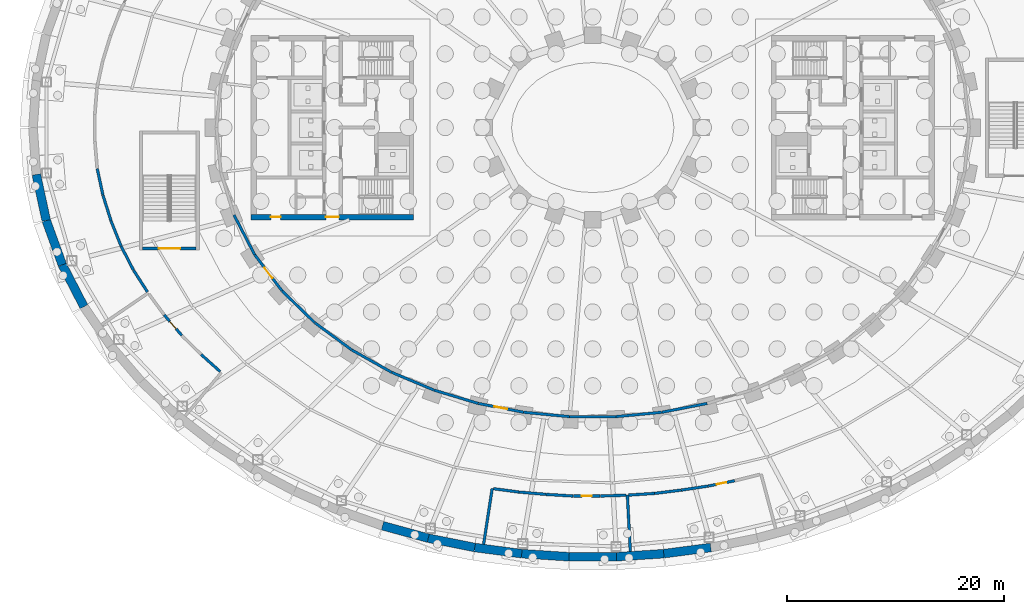
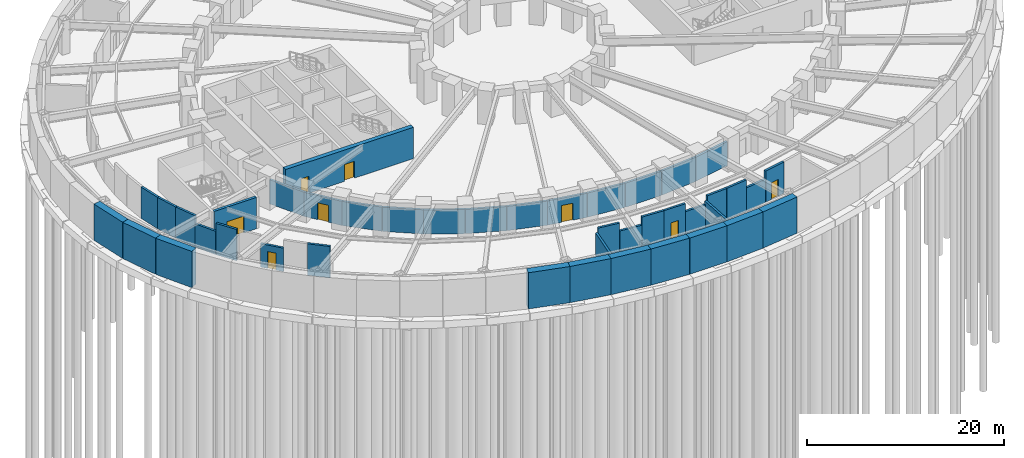
# One storey, part 10 of 19: 42 walls, 8 doors, 8 openings.
"""IFC4 building model written with IfcOpenShell, lengths in metres."""

from ifc_helpers import new_model, si_unit, direction, frame, frame_2d, origin, place, context, subcontext, project, spatial, rectangle, extrude, material, layer, layer_set, type_object, element, fill, save


model = new_model("IFC4")

# Units and contexts
model_context = context("Model", 3, precision=1e-05, world=origin(), true_north=direction((0.0, 1.0)))
body_context = subcontext(model_context, "Body", "Model", "MODEL_VIEW")
ifc_project = project(units=[si_unit("LENGTHUNIT", "METRE"), si_unit("AREAUNIT", "SQUARE_METRE"), si_unit("VOLUMEUNIT", "CUBIC_METRE"), si_unit("PLANEANGLEUNIT", "RADIAN"), si_unit("MASSUNIT", "GRAM", prefix="KILO")], contexts=[model_context])

# Site, building, storey
site_placement = place(None, origin())
site = spatial("IfcSite", under=ifc_project, at=site_placement, CompositionType="ELEMENT")
building_placement = place(site_placement, origin())
building = spatial("IfcBuilding", under=site, at=building_placement, Name="Noorbagh Ring Tower", CompositionType="ELEMENT")
storey_placement = place(building_placement, frame((0.0, 0.0, -8.39990234375)))
storey = spatial("IfcBuildingStorey", under=building, at=storey_placement, Name="B2", CompositionType="ELEMENT", Elevation=-8.39990234375)

# Wall, openings, doors
ifc_material_1 = material(Name="Concrete C70/85", Category="concrete")
ifc_layer_1 = layer(ifc_material_1, 0.5)
ifc_layer_set_1 = layer_set([ifc_layer_1], Name="Concrete C70/85")
wall_type_1 = type_object("IfcWallType", Name="CORE-WALL-500-C70-85-EI240", PredefinedType="SHEAR", material=ifc_layer_set_1)
wall_1_placement = place(storey_placement, frame((-16.5, -8.25, 0.0), z_axis=(0.0, 0.0, 1.0), x_axis=(-1.0, 0.0, 0.0)))
wall_1 = element("IfcWall", 1, at=wall_1_placement, inside=storey, type_object=wall_type_1, Name="Core wall W", PredefinedType="SHEAR", context=body_context, shape_type="SweptSolid", body=[
    extrude(rectangle(XDim=15.0, YDim=0.5, at=frame_2d((7.5, 0.0))), origin(), (0.0, 0.0, 1.0), 3.89990234375),
])
opening_1_placement = place(wall_1_placement, frame((6.89990234375, 0.0, 0.0)))
opening_1 = element("IfcOpeningElement", 2, at=opening_1_placement, cuts=wall_1, Name="Opening B2-CW10", PredefinedType="OPENING", context=body_context, shape_type="SweptSolid", body=[
    extrude(rectangle(XDim=1.199951171875, YDim=2.10009765625, at=frame_2d((0.60009765625, 1.050048828125))), frame((0.0, 0.260009765625, 0.0), z_axis=(0.0, -1.0, 0.0), x_axis=(1.0, 0.0, 0.0)), (0.0, 0.0, 1.0), 0.52001953125),
])
opening_2_placement = place(wall_1_placement, frame((12.27490234375, 0.0, 0.0)))
opening_2 = element("IfcOpeningElement", 3, at=opening_2_placement, cuts=wall_1, Name="Opening B2-CW16", PredefinedType="OPENING", context=body_context, shape_type="SweptSolid", body=[
    extrude(rectangle(XDim=0.89990234375, YDim=2.10009765625, at=frame_2d((0.449951171875, 1.050048828125))), frame((0.0, 0.260009765625, 0.0), z_axis=(0.0, -1.0, 0.0), x_axis=(1.0, 0.0, 0.0)), (0.0, 0.0, 1.0), 0.52001953125),
])
ifc_material_2 = material(Name="Steel door leaf", Category="steel")
door_type_1 = type_object("IfcDoorType", Name="CORE-DOOR-DROOM", OperationType="SINGLE_SWING_LEFT", PredefinedType="DOOR", material=ifc_material_2)
door_1_placement = place(opening_2_placement, origin())
door_1 = element("IfcDoor", 4, at=door_1_placement, inside=storey, type_object=door_type_1, Name="Core room door B2-CW16", OperationType="SINGLE_SWING_LEFT", OverallHeight=2.10009765625, OverallWidth=0.89990234375, PredefinedType="DOOR", context=body_context, shape_type="SweptSolid", body=[
    extrude(rectangle(XDim=0.89990234375, YDim=2.10009765625, at=frame_2d((0.449951171875, 1.050048828125))), frame((0.0, 0.02490234375, 0.0), z_axis=(0.0, -1.0, 0.0), x_axis=(1.0, 0.0, 0.0)), (0.0, 0.0, 1.0), 0.050048828125),
])
fill(opening_2, door_1)
ifc_material_3 = material(Name="Steel door leaf", Category="steel")
door_type_2 = type_object("IfcDoorType", Name="CORE-DOOR-PORT", OperationType="DOUBLE_DOOR_DOUBLE_SWING", PredefinedType="DOOR", material=ifc_material_3)
door_2_placement = place(opening_1_placement, origin())
door_2 = element("IfcDoor", 5, at=door_2_placement, inside=storey, type_object=door_type_2, Name="Core entrance door B2-CW10", OperationType="DOUBLE_DOOR_DOUBLE_SWING", OverallHeight=2.10009765625, OverallWidth=1.199951171875, PredefinedType="DOOR", context=body_context, shape_type="SweptSolid", body=[
    extrude(rectangle(XDim=1.199951171875, YDim=2.10009765625, at=frame_2d((0.60009765625, 1.050048828125))), frame((0.0, 0.02490234375, 0.0), z_axis=(0.0, -1.0, 0.0), x_axis=(1.0, 0.0, 0.0)), (0.0, 0.0, 1.0), 0.050048828125),
])
fill(opening_1, door_2)

# Wall, opening, door
ifc_material_4 = material(Name="Concrete C60/75", Category="concrete")
ifc_layer_2 = layer(ifc_material_4, 0.300048828125)
ifc_layer_set_2 = layer_set([ifc_layer_2], Name="Concrete C60/75")
wall_type_2 = type_object("IfcWallType", Name="GND-STAIR-WALL", PredefinedType="SHEAR", material=ifc_layer_set_2)
wall_2_placement = place(storey_placement, frame((-41.5, -11.14990234375, 0.0), z_axis=(0.0, 0.0, 1.0), x_axis=(1.0, 0.0, 0.0)))
wall_2 = element("IfcWall", 6, at=wall_2_placement, inside=storey, type_object=wall_type_2, Name="Exit stair ST-P1 wall", PredefinedType="SHEAR", context=body_context, shape_type="SweptSolid", body=[
    extrude(rectangle(XDim=4.949951171875, YDim=0.300048828125, at=frame_2d((2.47509765625, 0.0))), origin(), (0.0, 0.0, 1.0), 3.89990234375),
])
opening_3_placement = place(wall_2_placement, frame((1.47509765625, 0.0, 0.0)))
opening_3 = element("IfcOpeningElement", 7, at=opening_3_placement, cuts=wall_2, Name="Opening GD17", PredefinedType="OPENING", context=body_context, shape_type="SweptSolid", body=[
    extrude(rectangle(XDim=2.0, YDim=2.10009765625, at=frame_2d((1.0, 1.050048828125))), frame((0.0, 0.16015625, 0.0), z_axis=(0.0, -1.0, 0.0), x_axis=(1.0, 0.0, 0.0)), (0.0, 0.0, 1.0), 0.320068359375),
])
ifc_material_5 = material(Name="Steel", Category="steel")
door_type_3 = type_object("IfcDoorType", Name="GND-STAIR-DOOR", OperationType="DOUBLE_DOOR_SINGLE_SWING", PredefinedType="DOOR", material=ifc_material_5)
door_3_placement = place(opening_3_placement, origin())
door_3 = element("IfcDoor", 8, at=door_3_placement, inside=storey, type_object=door_type_3, Name="Exit stair ST-P1 door", OperationType="DOUBLE_DOOR_SINGLE_SWING", OverallHeight=2.10009765625, OverallWidth=2.0, PredefinedType="DOOR", context=body_context, shape_type="SweptSolid", body=[
    extrude(rectangle(XDim=2.0, YDim=2.10009765625, at=frame_2d((1.0, 1.050048828125))), frame((0.0, 0.02490234375, 0.0), z_axis=(0.0, -1.0, 0.0), x_axis=(1.0, 0.0, 0.0)), (0.0, 0.0, 1.0), 0.050048828125),
])
fill(opening_3, door_3)

# Walls
ifc_material_6 = material(Name="Concrete C40/50", Category="concrete")
ifc_layer_3 = layer(ifc_material_6, 0.25)
ifc_layer_set_3 = layer_set([ifc_layer_3], Name="Concrete C40/50")
wall_type_3 = type_object("IfcWallType", Name="GND-WALL-250", PredefinedType="SOLIDWALL", material=ifc_layer_set_3)
wall_3_placement = place(storey_placement, frame((-45.677001953125, -3.7900390625, 0.0), z_axis=(0.0, 0.0, 1.0), x_axis=(0.210655704331, -0.97756031744, 0.0)))
element("IfcWall", 9, at=wall_3_placement, inside=storey, type_object=wall_type_3, Name="Fire water tank room", PredefinedType="SOLIDWALL", context=body_context, shape_type="SweptSolid", body=[
    extrude(rectangle(XDim=2.48583984375, YDim=0.25, at=frame_2d((1.242919921875, 0.0))), origin(), (0.0, 0.0, 1.0), 3.89990234375),
])
wall_4_placement = place(storey_placement, frame((-45.14990234375, -6.233642578125, 0.0), z_axis=(0.0, 0.0, 1.0), x_axis=(0.29982659674, -0.953993716901, 0.0)))
element("IfcWall", 10, at=wall_4_placement, inside=storey, type_object=wall_type_3, Name="Fire water tank room", PredefinedType="SOLIDWALL", context=body_context, shape_type="SweptSolid", body=[
    extrude(rectangle(XDim=2.481201171875, YDim=0.25, at=frame_2d((1.24072265625, 0.0))), origin(), (0.0, 0.0, 1.0), 3.89990234375),
])
wall_5_placement = place(storey_placement, frame((-44.4013671875, -8.61376953125, 0.0), z_axis=(0.0, 0.0, 1.0), x_axis=(0.369914875637, -0.929065651492, 0.0)))
element("IfcWall", 11, at=wall_5_placement, inside=storey, type_object=wall_type_3, Name="Fire water tank room", PredefinedType="SOLIDWALL", context=body_context, shape_type="SweptSolid", body=[
    extrude(rectangle(XDim=2.482177734375, YDim=0.25, at=frame_2d((1.2412109375, 0.0))), origin(), (0.0, 0.0, 1.0), 3.89990234375),
])
wall_6_placement = place(storey_placement, frame((-43.477294921875, -10.9326171875, 0.0), z_axis=(0.0, 0.0, 1.0), x_axis=(0.459193151058, -0.888336450913, 0.0)))
element("IfcWall", 12, at=wall_6_placement, inside=storey, type_object=wall_type_3, Name="Fire water tank room", PredefinedType="SOLIDWALL", context=body_context, shape_type="SweptSolid", body=[
    extrude(rectangle(XDim=2.486083984375, YDim=0.25, at=frame_2d((1.2431640625, 0.0))), origin(), (0.0, 0.0, 1.0), 2.89990234375),
])
wall_7_placement = place(storey_placement, frame((-42.32861328125, -13.153076171875, 0.0), z_axis=(0.0, 0.0, 1.0), x_axis=(0.540564514589, -0.841302564817, 0.0)))
element("IfcWall", 13, at=wall_7_placement, inside=storey, type_object=wall_type_3, Name="Fire water tank room", PredefinedType="SOLIDWALL", context=body_context, shape_type="SweptSolid", body=[
    extrude(rectangle(XDim=2.36474609375, YDim=0.25, at=frame_2d((1.182373046875, 0.0))), origin(), (0.0, 0.0, 1.0), 3.89990234375),
])

# Wall, opening, door
wall_8_placement = place(storey_placement, frame((-39.5048828125, -17.268798828125, 0.0), z_axis=(0.0, 0.0, 1.0), x_axis=(0.651397729765, -0.758736448088, 0.0)))
wall_8 = element("IfcWall", 14, at=wall_8_placement, inside=storey, type_object=wall_type_3, Name="Pump room", PredefinedType="SOLIDWALL", context=body_context, shape_type="SweptSolid", body=[
    extrude(rectangle(XDim=2.486083984375, YDim=0.25, at=frame_2d((1.2431640625, 0.0))), origin(), (0.0, 0.0, 1.0), 2.89990234375),
])
opening_4_placement = place(wall_8_placement, frame((0.79296875, 0.0, 0.0)))
opening_4 = element("IfcOpeningElement", 15, at=opening_4_placement, cuts=wall_8, Name="Opening GD2", PredefinedType="OPENING", context=body_context, shape_type="SweptSolid", body=[
    extrude(rectangle(XDim=0.89990234375, YDim=2.10009765625, at=frame_2d((0.449951171875, 1.050048828125))), frame((0.0, 0.135009765625, 0.0), z_axis=(0.0, -1.0, 0.0), x_axis=(1.0, 0.0, 0.0)), (0.0, 0.0, 1.0), 0.27001953125),
])
ifc_material_7 = material(Name="Steel", Category="steel")
door_type_4 = type_object("IfcDoorType", Name="GND-DOOR-SVC120", OperationType="SINGLE_SWING_LEFT", PredefinedType="DOOR", material=ifc_material_7)
door_4_placement = place(opening_4_placement, origin())
door_4 = element("IfcDoor", 16, at=door_4_placement, inside=storey, type_object=door_type_4, Name="Pump room door", OperationType="SINGLE_SWING_LEFT", OverallHeight=2.10009765625, OverallWidth=0.89990234375, PredefinedType="DOOR", context=body_context, shape_type="SweptSolid", body=[
    extrude(rectangle(XDim=0.89990234375, YDim=2.10009765625, at=frame_2d((0.449951171875, 1.050048828125))), frame((0.0, 0.02490234375, 0.0), z_axis=(0.0, -1.0, 0.0), x_axis=(1.0, 0.0, 0.0)), (0.0, 0.0, 1.0), 0.050048828125),
])
fill(opening_4, door_4)

# Walls
wall_9_placement = place(storey_placement, frame((-36.09765625, -20.919189453125, 0.0), z_axis=(0.0, 0.0, 1.0), x_axis=(0.744401404245, -0.667732393522, 0.0)))
element("IfcWall", 17, at=wall_9_placement, inside=storey, type_object=wall_type_3, Name="Pump room", PredefinedType="SOLIDWALL", context=body_context, shape_type="SweptSolid", body=[
    extrude(rectangle(XDim=2.365966796875, YDim=0.25, at=frame_2d((1.18310546875, 0.0))), origin(), (0.0, 0.0, 1.0), 3.89990234375),
])
wall_10_placement = place(storey_placement, frame((-9.142578125, -33.289306640625, 0.0), z_axis=(0.0, 0.0, 1.0), x_axis=(0.99143111876, -0.130630535303, 0.0)))
element("IfcWall", 18, at=wall_10_placement, inside=storey, type_object=wall_type_3, Name="Flood barrier store", PredefinedType="SOLIDWALL", context=body_context, shape_type="SweptSolid", body=[
    extrude(rectangle(XDim=2.367919921875, YDim=0.25, at=frame_2d((1.18408203125, 0.0))), origin(), (0.0, 0.0, 1.0), 3.89990234375),
])
wall_11_placement = place(storey_placement, frame((-6.781005859375, -33.60009765625, 0.0), z_axis=(0.0, 0.0, 1.0), x_axis=(0.996297517405, -0.085972418908, 0.0)))
element("IfcWall", 19, at=wall_11_placement, inside=storey, type_object=wall_type_3, Name="Flood barrier store", PredefinedType="SOLIDWALL", context=body_context, shape_type="SweptSolid", body=[
    extrude(rectangle(XDim=2.48486328125, YDim=0.25, at=frame_2d((1.242431640625, 0.0))), origin(), (0.0, 0.0, 1.0), 2.89990234375),
])
wall_12_placement = place(storey_placement, frame((-4.291259765625, -33.814697265625, 0.0), z_axis=(0.0, 0.0, 1.0), x_axis=(0.998197320721, -0.060017571636, 0.0)))
element("IfcWall", 20, at=wall_12_placement, inside=storey, type_object=wall_type_3, Name="Flood barrier store", PredefinedType="SOLIDWALL", context=body_context, shape_type="SweptSolid", body=[
    extrude(rectangle(XDim=2.4853515625, YDim=0.25, at=frame_2d((1.24267578125, 0.0))), origin(), (0.0, 0.0, 1.0), 3.89990234375),
])

# Wall, opening, door
wall_13_placement = place(storey_placement, frame((-1.796142578125, -33.964111328125, 0.0), z_axis=(0.0, 0.0, 1.0), x_axis=(1.0, 0.0, 0.0)))
wall_13 = element("IfcWall", 21, at=wall_13_placement, inside=storey, type_object=wall_type_3, Name="Flood barrier store", PredefinedType="SOLIDWALL", context=body_context, shape_type="SweptSolid", body=[
    extrude(rectangle(XDim=2.48583984375, YDim=0.25, at=frame_2d((1.242919921875, 0.0))), origin(), (0.0, 0.0, 1.0), 3.89990234375),
])
opening_5_placement = place(wall_13_placement, frame((0.79296875, 0.0, 0.0)))
opening_5 = element("IfcOpeningElement", 22, at=opening_5_placement, cuts=wall_13, Name="Opening GD1", PredefinedType="OPENING", context=body_context, shape_type="SweptSolid", body=[
    extrude(rectangle(XDim=0.89990234375, YDim=2.10009765625, at=frame_2d((0.449951171875, 1.050048828125))), frame((0.0, 0.135009765625, 0.0), z_axis=(0.0, -1.0, 0.0), x_axis=(1.0, 0.0, 0.0)), (0.0, 0.0, 1.0), 0.27001953125),
])
ifc_material_8 = material(Name="Steel", Category="steel")
door_type_5 = type_object("IfcDoorType", Name="GND-DOOR-SVC60", OperationType="SINGLE_SWING_LEFT", PredefinedType="DOOR", material=ifc_material_8)
door_5_placement = place(opening_5_placement, origin())
door_5 = element("IfcDoor", 23, at=door_5_placement, inside=storey, type_object=door_type_5, Name="Flood barrier store door", OperationType="SINGLE_SWING_RIGHT", OverallHeight=2.10009765625, OverallWidth=0.89990234375, PredefinedType="DOOR", context=body_context, shape_type="SweptSolid", body=[
    extrude(rectangle(XDim=0.89990234375, YDim=2.10009765625, at=frame_2d((0.449951171875, 1.050048828125))), frame((0.0, 0.02490234375, 0.0), z_axis=(0.0, -1.0, 0.0), x_axis=(1.0, 0.0, 0.0)), (0.0, 0.0, 1.0), 0.050048828125),
])
fill(opening_5, door_5)

# Walls
wall_14_placement = place(storey_placement, frame((0.703857421875, -33.964111328125, 0.0), z_axis=(0.0, 0.0, 1.0), x_axis=(0.999514588935, 0.031154237368, 0.0)))
element("IfcWall", 24, at=wall_14_placement, inside=storey, type_object=wall_type_3, Name="Flood barrier store", PredefinedType="SOLIDWALL", context=body_context, shape_type="SweptSolid", body=[
    extrude(rectangle(XDim=2.36669921875, YDim=0.25, at=frame_2d((1.183349609375, 0.0))), origin(), (0.0, 0.0, 1.0), 2.89990234375),
])
for number, where, z_axis, x_axis, name in (
    (25, (-9.2666015625, -33.273193359375, 0.0), (0.0, 0.0, 1.0), (-0.152120689687, -0.988361925495, 0.0), "Flood barrier store"),
    (26, (3.1943359375, -33.886474609375, 0.0), (0.0, 0.0, 1.0), (0.052068437351, -0.998643518895, 0.0), "Flood barrier store"),
):
    element("IfcWall", number, at=place(storey_placement, frame(where, z_axis=z_axis, x_axis=x_axis)), inside=storey, type_object=wall_type_3, Name=name, PredefinedType="SOLIDWALL", context=body_context, shape_type="SweptSolid", body=[
        extrude(rectangle(XDim=5.199951171875, YDim=0.25, at=frame_2d((2.60009765625, 0.0))), origin(), (0.0, 0.0, 1.0), 3.2998046875),
    ])
wall_15_placement = place(storey_placement, frame((3.319091796875, -33.87841796875, 0.0), z_axis=(0.0, 0.0, 1.0), x_axis=(0.997874570946, 0.065163952143, 0.0)))
element("IfcWall", 27, at=wall_15_placement, inside=storey, type_object=wall_type_3, Name="Records store", PredefinedType="SOLIDWALL", context=body_context, shape_type="SweptSolid", body=[
    extrude(rectangle(XDim=2.367919921875, YDim=0.25, at=frame_2d((1.18408203125, 0.0))), origin(), (0.0, 0.0, 1.0), 3.89990234375),
])
wall_16_placement = place(storey_placement, frame((5.69580078125, -33.722900390625, 0.0), z_axis=(0.0, 0.0, 1.0), x_axis=(0.992470098736, 0.122487154901, 0.0)))
element("IfcWall", 28, at=wall_16_placement, inside=storey, type_object=wall_type_3, Name="Records store", PredefinedType="SOLIDWALL", context=body_context, shape_type="SweptSolid", body=[
    extrude(rectangle(XDim=2.485595703125, YDim=0.25, at=frame_2d((1.24267578125, 0.0))), origin(), (0.0, 0.0, 1.0), 3.89990234375),
])
wall_17_placement = place(storey_placement, frame((8.176513671875, -33.41650390625, 0.0), z_axis=(0.0, 0.0, 1.0), x_axis=(0.988860556861, 0.148844882627, 0.0)))
element("IfcWall", 29, at=wall_17_placement, inside=storey, type_object=wall_type_3, Name="Records store", PredefinedType="SOLIDWALL", context=body_context, shape_type="SweptSolid", body=[
    extrude(rectangle(XDim=2.48486328125, YDim=0.25, at=frame_2d((1.242431640625, 0.0))), origin(), (0.0, 0.0, 1.0), 2.89990234375),
])

# Wall, opening, door
wall_18_placement = place(storey_placement, frame((10.6474609375, -33.044189453125, 0.0), z_axis=(0.0, 0.0, 1.0), x_axis=(0.980501274237, 0.196512725335, 0.0)))
wall_18 = element("IfcWall", 30, at=wall_18_placement, inside=storey, type_object=wall_type_3, Name="Records store", PredefinedType="SOLIDWALL", context=body_context, shape_type="SweptSolid", body=[
    extrude(rectangle(XDim=2.486083984375, YDim=0.25, at=frame_2d((1.2431640625, 0.0))), origin(), (0.0, 0.0, 1.0), 3.89990234375),
])
opening_6_placement = place(wall_18_placement, frame((0.79296875, 0.0, 0.0)))
opening_6 = element("IfcOpeningElement", 31, at=opening_6_placement, cuts=wall_18, Name="Opening GD1", PredefinedType="OPENING", context=body_context, shape_type="SweptSolid", body=[
    extrude(rectangle(XDim=0.89990234375, YDim=2.10009765625, at=frame_2d((0.449951171875, 1.050048828125))), frame((0.0, 0.135009765625, 0.0), z_axis=(0.0, -1.0, 0.0), x_axis=(1.0, 0.0, 0.0)), (0.0, 0.0, 1.0), 0.27001953125),
])
door_6_placement = place(opening_6_placement, origin())
door_6 = element("IfcDoor", 32, at=door_6_placement, inside=storey, type_object=door_type_5, Name="Records store door", OperationType="SINGLE_SWING_LEFT", OverallHeight=2.10009765625, OverallWidth=0.89990234375, PredefinedType="DOOR", context=body_context, shape_type="SweptSolid", body=[
    extrude(rectangle(XDim=0.89990234375, YDim=2.10009765625, at=frame_2d((0.449951171875, 1.050048828125))), frame((0.0, 0.02490234375, 0.0), z_axis=(0.0, -1.0, 0.0), x_axis=(1.0, 0.0, 0.0)), (0.0, 0.0, 1.0), 0.050048828125),
])
fill(opening_6, door_6)

# Wall
ifc_material_9 = material(Name="Concrete C40/50", Category="concrete")
ifc_layer_4 = layer(ifc_material_9, 0.25)
ifc_layer_set_4 = layer_set([ifc_layer_4], Name="Concrete C40/50")
wall_type_4 = type_object("IfcWallType", Name="GND-WALL-RING", PredefinedType="SOLIDWALL", material=ifc_layer_set_4)
wall_19_placement = place(storey_placement, frame((-33.068603515625, -8.062255859375, 0.0), z_axis=(0.0, 0.0, 1.0), x_axis=(0.462265314279, -0.886741664305, 0.0)))
element("IfcWall", 33, at=wall_19_placement, inside=storey, type_object=wall_type_4, Name="Tower basement fire wall", PredefinedType="SOLIDWALL", context=body_context, shape_type="SweptSolid", body=[
    extrude(rectangle(XDim=4.134765625, YDim=0.25, at=frame_2d((2.0673828125, 0.0))), origin(), (0.0, 0.0, 1.0), 3.0),
])

# Wall, opening, door
wall_20_placement = place(storey_placement, frame((-31.147705078125, -11.743896484375, 0.0), z_axis=(0.0, 0.0, 1.0), x_axis=(0.604041965907, -0.796952510143, 0.0)))
wall_20 = element("IfcWall", 34, at=wall_20_placement, inside=storey, type_object=wall_type_4, Name="Tower basement fire wall", PredefinedType="SOLIDWALL", context=body_context, shape_type="SweptSolid", body=[
    extrude(rectangle(XDim=4.157470703125, YDim=0.25, at=frame_2d((2.07861328125, 0.0))), origin(), (0.0, 0.0, 1.0), 3.0),
])
opening_7_placement = place(wall_20_placement, frame((1.478759765625, 0.0, 0.0)))
opening_7 = element("IfcOpeningElement", 35, at=opening_7_placement, cuts=wall_20, Name="Opening GD4", PredefinedType="OPENING", context=body_context, shape_type="SweptSolid", body=[
    extrude(rectangle(XDim=1.199951171875, YDim=2.10009765625, at=frame_2d((0.60009765625, 1.050048828125))), frame((0.0, 0.135009765625, 0.0), z_axis=(0.0, -1.0, 0.0), x_axis=(1.0, 0.0, 0.0)), (0.0, 0.0, 1.0), 0.27001953125),
])
ifc_material_10 = material(Name="Steel", Category="steel")
door_type_6 = type_object("IfcDoorType", Name="GND-DOOR-RING", OperationType="DOUBLE_DOOR_SINGLE_SWING", PredefinedType="DOOR", material=ifc_material_10)
door_7_placement = place(opening_7_placement, origin())
door_7 = element("IfcDoor", 36, at=door_7_placement, inside=storey, type_object=door_type_6, Name="Tower basement door", OperationType="DOUBLE_DOOR_SINGLE_SWING", OverallHeight=2.10009765625, OverallWidth=1.199951171875, PredefinedType="DOOR", context=body_context, shape_type="SweptSolid", body=[
    extrude(rectangle(XDim=1.199951171875, YDim=2.10009765625, at=frame_2d((0.60009765625, 1.050048828125))), frame((0.0, 0.02490234375, 0.0), z_axis=(0.0, -1.0, 0.0), x_axis=(1.0, 0.0, 0.0)), (0.0, 0.0, 1.0), 0.050048828125),
])
fill(opening_7, door_7)

# Walls
wall_21_placement = place(storey_placement, frame((-28.62451171875, -15.07080078125, 0.0), z_axis=(0.0, 0.0, 1.0), x_axis=(0.717227656803, -0.696838925661, 0.0)))
element("IfcWall", 37, at=wall_21_placement, inside=storey, type_object=wall_type_4, Name="Tower basement fire wall", PredefinedType="SOLIDWALL", context=body_context, shape_type="SweptSolid", body=[
    extrude(rectangle(XDim=4.178955078125, YDim=0.25, at=frame_2d((2.08935546875, 0.0))), origin(), (0.0, 0.0, 1.0), 3.0),
])
wall_22_placement = place(storey_placement, frame((-25.613525390625, -17.994384765625, 0.0), z_axis=(0.0, 0.0, 1.0), x_axis=(0.805155221937, -0.593064135306, 0.0)))
element("IfcWall", 38, at=wall_22_placement, inside=storey, type_object=wall_type_4, Name="Tower basement fire wall", PredefinedType="SOLIDWALL", context=body_context, shape_type="SweptSolid", body=[
    extrude(rectangle(XDim=4.197998046875, YDim=0.25, at=frame_2d((2.09912109375, 0.0))), origin(), (0.0, 0.0, 1.0), 3.0),
])
wall_23_placement = place(storey_placement, frame((-22.218505859375, -20.493896484375, 0.0), z_axis=(0.0, 0.0, 1.0), x_axis=(0.872061015455, -0.489397165218, 0.0)))
element("IfcWall", 39, at=wall_23_placement, inside=storey, type_object=wall_type_4, Name="Tower basement fire wall", PredefinedType="SOLIDWALL", context=body_context, shape_type="SweptSolid", body=[
    extrude(rectangle(XDim=4.21337890625, YDim=0.25, at=frame_2d((2.106689453125, 0.0))), origin(), (0.0, 0.0, 1.0), 3.0),
])
wall_24_placement = place(storey_placement, frame((-18.528076171875, -22.56396484375, 0.0), z_axis=(0.0, 0.0, 1.0), x_axis=(0.921810386469, -0.387641085798, 0.0)))
element("IfcWall", 40, at=wall_24_placement, inside=storey, type_object=wall_type_4, Name="Tower basement fire wall", PredefinedType="SOLIDWALL", context=body_context, shape_type="SweptSolid", body=[
    extrude(rectangle(XDim=4.225341796875, YDim=0.25, at=frame_2d((2.11279296875, 0.0))), origin(), (0.0, 0.0, 1.0), 3.0),
])
wall_25_placement = place(storey_placement, frame((-14.6162109375, -24.2080078125, 0.0), z_axis=(0.0, 0.0, 1.0), x_axis=(0.957589494621, -0.28813600919, 0.0)))
element("IfcWall", 41, at=wall_25_placement, inside=storey, type_object=wall_type_4, Name="Tower basement fire wall", PredefinedType="SOLIDWALL", context=body_context, shape_type="SweptSolid", body=[
    extrude(rectangle(XDim=4.234130859375, YDim=0.25, at=frame_2d((2.1171875, 0.0))), origin(), (0.0, 0.0, 1.0), 3.0),
])

# Wall, opening, door
wall_26_placement = place(storey_placement, frame((-10.544189453125, -25.432373046875, 0.0), z_axis=(0.0, 0.0, 1.0), x_axis=(0.981622881166, -0.190831127365, 0.0)))
wall_26 = element("IfcWall", 42, at=wall_26_placement, inside=storey, type_object=wall_type_4, Name="Tower basement fire wall", PredefinedType="SOLIDWALL", context=body_context, shape_type="SweptSolid", body=[
    extrude(rectangle(XDim=4.23974609375, YDim=0.25, at=frame_2d((2.119873046875, 0.0))), origin(), (0.0, 0.0, 1.0), 3.0),
])
opening_8_placement = place(wall_26_placement, frame((1.52001953125, 0.0, 0.0)))
opening_8 = element("IfcOpeningElement", 43, at=opening_8_placement, cuts=wall_26, Name="Opening GD4", PredefinedType="OPENING", context=body_context, shape_type="SweptSolid", body=[
    extrude(rectangle(XDim=1.199951171875, YDim=2.10009765625, at=frame_2d((0.60009765625, 1.050048828125))), frame((0.0, 0.135009765625, 0.0), z_axis=(0.0, -1.0, 0.0), x_axis=(1.0, 0.0, 0.0)), (0.0, 0.0, 1.0), 0.27001953125),
])
door_8_placement = place(opening_8_placement, origin())
door_8 = element("IfcDoor", 44, at=door_8_placement, inside=storey, type_object=door_type_6, Name="Tower basement door", OperationType="DOUBLE_DOOR_SINGLE_SWING", OverallHeight=2.10009765625, OverallWidth=1.199951171875, PredefinedType="DOOR", context=body_context, shape_type="SweptSolid", body=[
    extrude(rectangle(XDim=1.199951171875, YDim=2.10009765625, at=frame_2d((0.60009765625, 1.050048828125))), frame((0.0, 0.02490234375, 0.0), z_axis=(0.0, -1.0, 0.0), x_axis=(1.0, 0.0, 0.0)), (0.0, 0.0, 1.0), 0.050048828125),
])
fill(opening_8, door_8)

# Walls
wall_27_placement = place(storey_placement, frame((-6.364501953125, -26.243896484375, 0.0), z_axis=(0.0, 0.0, 1.0), x_axis=(0.995473208191, -0.09504257874, 0.0)))
element("IfcWall", 45, at=wall_27_placement, inside=storey, type_object=wall_type_4, Name="Tower basement fire wall", PredefinedType="SOLIDWALL", context=body_context, shape_type="SweptSolid", body=[
    extrude(rectangle(XDim=4.24365234375, YDim=0.25, at=frame_2d((2.121826171875, 0.0))), origin(), (0.0, 0.0, 1.0), 3.0),
])
wall_28_placement = place(storey_placement, frame((-2.122314453125, -26.64794921875, 0.0), z_axis=(0.0, 0.0, 1.0), x_axis=(1.0, 0.0, 0.0)))
element("IfcWall", 46, at=wall_28_placement, inside=storey, type_object=wall_type_4, Name="Tower basement fire wall", PredefinedType="SOLIDWALL", context=body_context, shape_type="SweptSolid", body=[
    extrude(rectangle(XDim=4.24462890625, YDim=0.25, at=frame_2d((2.122314453125, 0.0))), origin(), (0.0, 0.0, 1.0), 3.0),
])
wall_29_placement = place(storey_placement, frame((2.14013671875, -26.647216796875, 0.0), z_axis=(0.0, 0.0, 1.0), x_axis=(0.995473208191, 0.09504257874, 0.0)))
element("IfcWall", 47, at=wall_29_placement, inside=storey, type_object=wall_type_4, Name="Tower basement fire wall", PredefinedType="SOLIDWALL", context=body_context, shape_type="SweptSolid", body=[
    extrude(rectangle(XDim=4.24365234375, YDim=0.25, at=frame_2d((2.121826171875, 0.0))), origin(), (0.0, 0.0, 1.0), 3.0),
])
wall_30_placement = place(storey_placement, frame((6.38232421875, -26.241455078125, 0.0), z_axis=(0.0, 0.0, 1.0), x_axis=(0.981622881166, 0.190831127365, 0.0)))
element("IfcWall", 48, at=wall_30_placement, inside=storey, type_object=wall_type_4, Name="Tower basement fire wall", PredefinedType="SOLIDWALL", context=body_context, shape_type="SweptSolid", body=[
    extrude(rectangle(XDim=4.23974609375, YDim=0.25, at=frame_2d((2.119873046875, 0.0))), origin(), (0.0, 0.0, 1.0), 3.0),
])
ifc_material_11 = material(Name="Concrete C40/50", Category="concrete")
ifc_layer_5 = layer(ifc_material_11, 0.800048828125)
ifc_layer_set_5 = layer_set([ifc_layer_5], Name="Concrete C40/50")
wall_type_5 = type_object("IfcWallType", Name="STR-RETAINING-WALL", PredefinedType="SOLIDWALL", material=ifc_layer_set_5)
wall_31_placement = place(storey_placement, frame((-51.289794921875, -4.326416015625, -0.300048828125), z_axis=(0.0, 0.0, 1.0), x_axis=(0.210616468766, -0.977568771537, 0.0)))
element("IfcWall", 49, at=wall_31_placement, inside=storey, type_object=wall_type_5, Name="B2/retwall/35", PredefinedType="SOLIDWALL", context=body_context, shape_type="SweptSolid", body=[
    extrude(rectangle(XDim=4.3388671875, YDim=0.800048828125, at=frame_2d((2.16943359375, 0.0))), origin(), (0.0, 0.0, 1.0), 4.5),
])
wall_32_placement = place(storey_placement, frame((-50.3759765625, -8.56787109375, -0.300048828125), z_axis=(0.0, 0.0, 1.0), x_axis=(0.341286990045, -0.939959142956, 0.0)))
element("IfcWall", 50, at=wall_32_placement, inside=storey, type_object=wall_type_5, Name="B2/retwall/36", PredefinedType="SOLIDWALL", context=body_context, shape_type="SweptSolid", body=[
    extrude(rectangle(XDim=4.341552734375, YDim=0.800048828125, at=frame_2d((2.1708984375, 0.0))), origin(), (0.0, 0.0, 1.0), 4.5),
])
wall_33_placement = place(storey_placement, frame((-48.894287109375, -12.648681640625, -0.300048828125), z_axis=(0.0, 0.0, 1.0), x_axis=(0.459242531468, -0.888310923771, 0.0)))
element("IfcWall", 51, at=wall_33_placement, inside=storey, type_object=wall_type_5, Name="B2/retwall/37", PredefinedType="SOLIDWALL", context=body_context, shape_type="SweptSolid", body=[
    extrude(rectangle(XDim=4.344970703125, YDim=0.800048828125, at=frame_2d((2.17236328125, 0.0))), origin(), (0.0, 0.0, 1.0), 4.5),
])
wall_34_placement = place(storey_placement, frame((-19.37939453125, -36.69921875, -0.300048828125), z_axis=(0.0, 0.0, 1.0), x_axis=(0.964679950239, -0.263424739931, 0.0)))
element("IfcWall", 52, at=wall_34_placement, inside=storey, type_object=wall_type_5, Name="B2/retwall/46", PredefinedType="SOLIDWALL", context=body_context, shape_type="SweptSolid", body=[
    extrude(rectangle(XDim=4.368896484375, YDim=0.800048828125, at=frame_2d((2.1845703125, 0.0))), origin(), (0.0, 0.0, 1.0), 4.5),
])
wall_35_placement = place(storey_placement, frame((-15.164794921875, -37.85009765625, -0.300048828125), z_axis=(0.0, 0.0, 1.0), x_axis=(0.980494629762, -0.196545875071, 0.0)))
element("IfcWall", 53, at=wall_35_placement, inside=storey, type_object=wall_type_5, Name="B2/retwall/47", PredefinedType="SOLIDWALL", context=body_context, shape_type="SweptSolid", body=[
    extrude(rectangle(XDim=4.369873046875, YDim=0.800048828125, at=frame_2d((2.18505859375, 0.0))), origin(), (0.0, 0.0, 1.0), 4.5),
])
wall_36_placement = place(storey_placement, frame((-10.880126953125, -38.708984375, -0.300048828125), z_axis=(0.0, 0.0, 1.0), x_axis=(0.991441741932, -0.130549884544, 0.0)))
element("IfcWall", 54, at=wall_36_placement, inside=storey, type_object=wall_type_5, Name="B2/retwall/48", PredefinedType="SOLIDWALL", context=body_context, shape_type="SweptSolid", body=[
    extrude(rectangle(XDim=4.370361328125, YDim=0.800048828125, at=frame_2d((2.18505859375, 0.0))), origin(), (0.0, 0.0, 1.0), 4.5),
])
wall_37_placement = place(storey_placement, frame((-6.547119140625, -39.279541015625, -0.300048828125), z_axis=(0.0, 0.0, 1.0), x_axis=(0.997876871627, -0.065128711577, 0.0)))
element("IfcWall", 55, at=wall_37_placement, inside=storey, type_object=wall_type_5, Name="B2/retwall/49", PredefinedType="SOLIDWALL", context=body_context, shape_type="SweptSolid", body=[
    extrude(rectangle(XDim=4.370849609375, YDim=0.800048828125, at=frame_2d((2.185546875, 0.0))), origin(), (0.0, 0.0, 1.0), 4.5),
])
wall_38_placement = place(storey_placement, frame((-2.185546875, -39.564208984375, -0.300048828125), z_axis=(0.0, 0.0, 1.0), x_axis=(1.0, 0.0, 0.0)))
element("IfcWall", 56, at=wall_38_placement, inside=storey, type_object=wall_type_5, Name="B2/retwall/50", PredefinedType="SOLIDWALL", context=body_context, shape_type="SweptSolid", body=[
    extrude(rectangle(XDim=4.37109375, YDim=0.800048828125, at=frame_2d((2.185546875, 0.0))), origin(), (0.0, 0.0, 1.0), 4.5),
])
wall_39_placement = place(storey_placement, frame((2.185546875, -39.564208984375, -0.300048828125), z_axis=(0.0, 0.0, 1.0), x_axis=(0.997876871627, 0.065128711577, 0.0)))
element("IfcWall", 57, at=wall_39_placement, inside=storey, type_object=wall_type_5, Name="B2/retwall/51", PredefinedType="SOLIDWALL", context=body_context, shape_type="SweptSolid", body=[
    extrude(rectangle(XDim=4.370849609375, YDim=0.800048828125, at=frame_2d((2.185546875, 0.0))), origin(), (0.0, 0.0, 1.0), 4.5),
])
wall_40_placement = place(storey_placement, frame((6.547119140625, -39.279541015625, -0.300048828125), z_axis=(0.0, 0.0, 1.0), x_axis=(0.991441741932, 0.130549884544, 0.0)))
element("IfcWall", 58, at=wall_40_placement, inside=storey, type_object=wall_type_5, Name="B2/retwall/52", PredefinedType="SOLIDWALL", context=body_context, shape_type="SweptSolid", body=[
    extrude(rectangle(XDim=4.370361328125, YDim=0.800048828125, at=frame_2d((2.18505859375, 0.0))), origin(), (0.0, 0.0, 1.0), 4.5),
])

save(model, "model.ifc")
